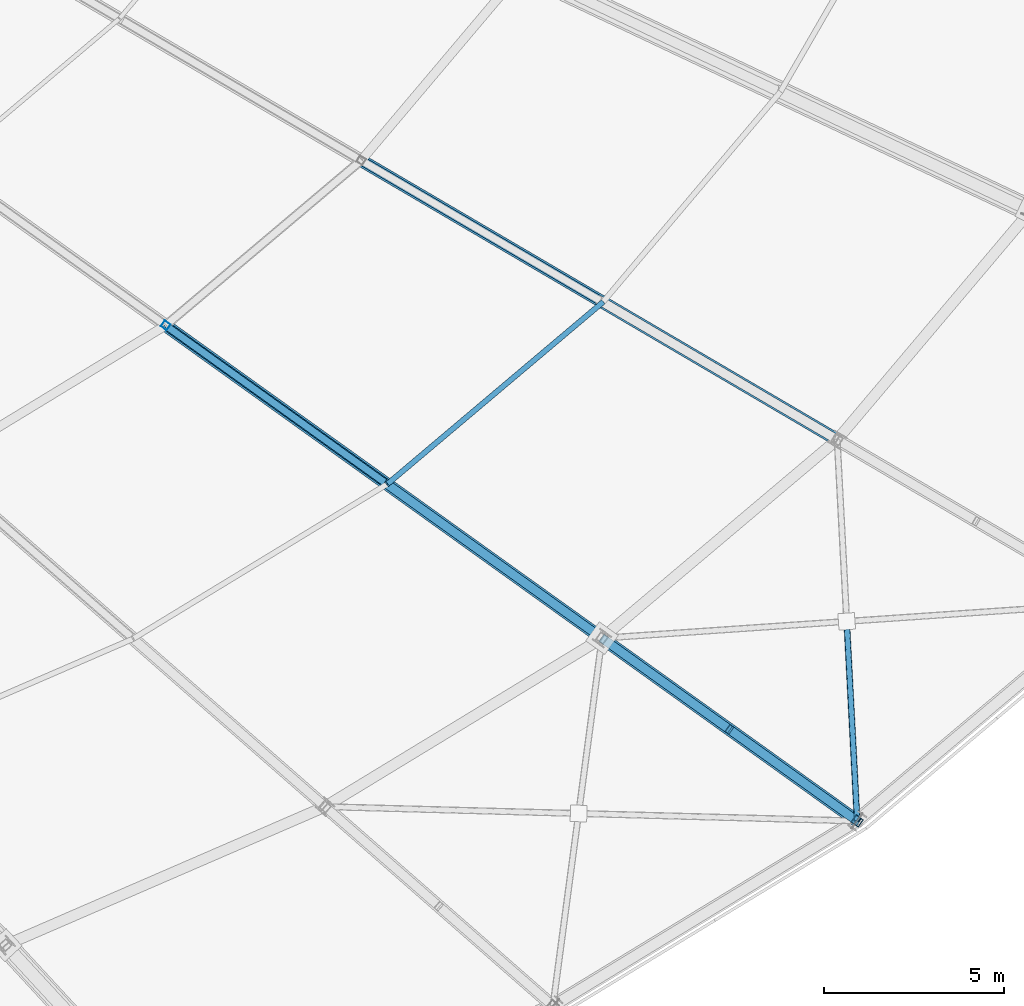
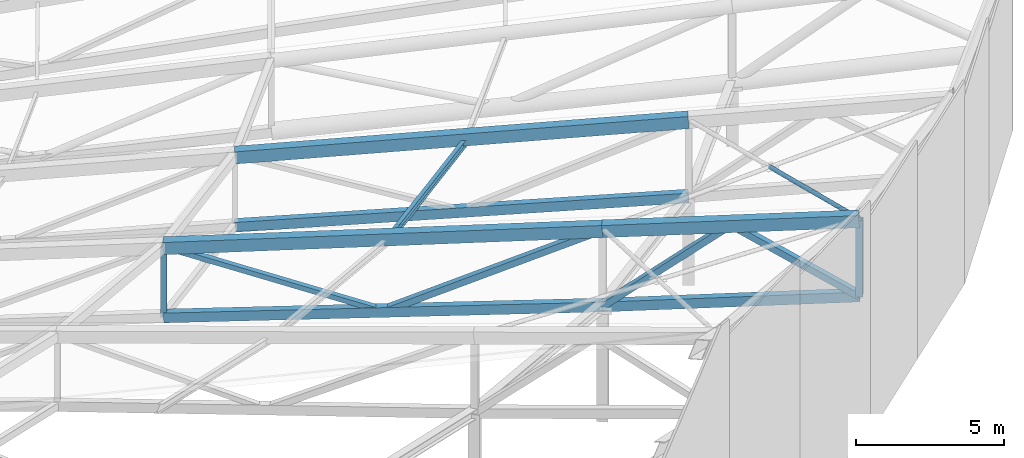
# One storey, part 62 of 143: 8 members, 6 beams.
"""IFC4 building model written with IfcOpenShell, lengths in metres."""

from ifc_helpers import new_model, si_unit, direction, frame, origin, origin_2d, place, context, subcontext, project, spatial, hollow_rectangle, hollow_circle, i_section, extrude, material, material_profile, profile_set, type_object, element, save


model = new_model("IFC4")

# Units and contexts
model_context = context("Model", 3, precision=1e-05, world=origin(), true_north=direction((0.0, 1.0)))
body_context = subcontext(model_context, "Body", "Model", "MODEL_VIEW")
ifc_project = project(units=[si_unit("LENGTHUNIT", "METRE"), si_unit("AREAUNIT", "SQUARE_METRE"), si_unit("VOLUMEUNIT", "CUBIC_METRE"), si_unit("PLANEANGLEUNIT", "RADIAN"), si_unit("MASSUNIT", "GRAM", prefix="KILO")], contexts=[model_context])

# Site, building, storey
site_placement = place(None, origin())
site = spatial("IfcSite", under=ifc_project, at=site_placement, CompositionType="ELEMENT")
building_placement = place(site_placement, origin())
building = spatial("IfcBuilding", under=site, at=building_placement, Name="Mphavela Belvedere Stadium", CompositionType="ELEMENT")
storey_placement = place(building_placement, frame((0.0, 0.0, 28.800048828125)))
storey = spatial("IfcBuildingStorey", under=building, at=storey_placement, Name="RF", CompositionType="ELEMENT", Elevation=28.800048828125)

# Beams
ifc_material_1 = material(Name="Steel S355", Category="steel")
ifc_material_profile_1 = material_profile(ifc_material_1, hollow_rectangle(XDim=0.25, YDim=0.39990234375, WallThickness=0.01611328125, at=origin_2d()), Name="RHS 400x250x16")
ifc_profile_set_1 = profile_set([ifc_material_profile_1], Name="Steel S355")
beam_type_1 = type_object("IfcBeamType", Name="BM-TRUSS-BC2", PredefinedType="BEAM", material=ifc_profile_set_1)
beam_1_placement = place(storey_placement, frame((194.155517578125, 30.285400390625, 5.7109375), z_axis=(-0.807495008804, 0.57856858983, -0.114935623801), x_axis=(-0.582428376319, -0.812882024932, 0.0)))
element("IfcBeam", 1, at=beam_1_placement, inside=storey, type_object=beam_type_1, Name="Radial roof truss RT-43 bottom chord 1", PredefinedType="BEAM", context=body_context, shape_type="SweptSolid", body=[
    extrude(hollow_rectangle(XDim=0.25, YDim=0.39990234375, WallThickness=0.01611328125, at=origin_2d()), origin(), (0.0, 0.0, 1.0), 8.785400390625),
])
beam_2_placement = place(storey_placement, frame((187.061279296875, 35.368408203125, 4.701171875), z_axis=(-0.808932564124, 0.579596935267, -0.098465726675), x_axis=(-0.582427273986, -0.812882814751, 0.0)))
element("IfcBeam", 2, at=beam_2_placement, inside=storey, type_object=beam_type_1, Name="Radial roof truss RT-43 bottom chord 2", PredefinedType="BEAM", context=body_context, shape_type="SweptSolid", body=[
    extrude(hollow_rectangle(XDim=0.25, YDim=0.39990234375, WallThickness=0.01611328125, at=origin_2d()), origin(), (0.0, 0.0, 1.0), 15.000732421875),
])
beam_3_placement = place(storey_placement, frame((193.600341796875, 40.88623046875, 3.5703125), z_axis=(-0.85949913121, 0.504262531198, -0.0835496444), x_axis=(-0.506031812676, -0.86251481411, 0.0)))
element("IfcBeam", 3, at=beam_3_placement, inside=storey, type_object=beam_type_1, Name="Radial roof truss RT-44 bottom chord 2", PredefinedType="BEAM", context=body_context, shape_type="SweptSolid", body=[
    extrude(hollow_rectangle(XDim=0.25, YDim=0.39990234375, WallThickness=0.01611328125, at=origin_2d()), origin(), (0.0, 0.0, 1.0), 15.3994140625),
])
ifc_material_2 = material(Name="Steel S355", Category="steel")
ifc_material_profile_2 = material_profile(ifc_material_2, hollow_rectangle(XDim=0.35009765625, YDim=0.5, WallThickness=0.02001953125, at=origin_2d()), Name="RHS 500x350x20")
ifc_profile_set_2 = profile_set([ifc_material_profile_2], Name="Steel S355")
beam_type_2 = type_object("IfcBeamType", Name="BM-TRUSS-TC2", PredefinedType="BEAM", material=ifc_profile_set_2)
beam_4_placement = place(storey_placement, frame((194.155517578125, 30.285400390625, 8.86083984375), z_axis=(-0.807497587607, 0.578570437538, -0.114908201692), x_axis=(-0.582428376319, -0.812882024932, 0.0)))
element("IfcBeam", 4, at=beam_4_placement, inside=storey, type_object=beam_type_2, Name="Radial roof truss RT-43 top chord 1", PredefinedType="BEAM", context=body_context, shape_type="SweptSolid", body=[
    extrude(hollow_rectangle(XDim=0.35009765625, YDim=0.5, WallThickness=0.02001953125, at=origin_2d()), origin(), (0.0, 0.0, 1.0), 8.785400390625),
])
beam_5_placement = place(storey_placement, frame((187.061279296875, 35.368408203125, 7.851318359375), z_axis=(-0.807496577749, 0.578568056793, -0.114927283886), x_axis=(-0.582427273986, -0.812882814751, 0.0)))
element("IfcBeam", 5, at=beam_5_placement, inside=storey, type_object=beam_type_2, Name="Radial roof truss RT-43 top chord 2", PredefinedType="BEAM", context=body_context, shape_type="SweptSolid", body=[
    extrude(hollow_rectangle(XDim=0.35009765625, YDim=0.5, WallThickness=0.02001953125, at=origin_2d()), origin(), (0.0, 0.0, 1.0), 15.02734375),
])
beam_6_placement = place(storey_placement, frame((193.600341796875, 40.88623046875, 6.72021484375), z_axis=(-0.858222917676, 0.503513785047, -0.099635795991), x_axis=(-0.506031812676, -0.86251481411, 0.0)))
element("IfcBeam", 6, at=beam_6_placement, inside=storey, type_object=beam_type_2, Name="Radial roof truss RT-44 top chord 2", PredefinedType="BEAM", context=body_context, shape_type="SweptSolid", body=[
    extrude(hollow_rectangle(XDim=0.35009765625, YDim=0.5, WallThickness=0.02001953125, at=origin_2d()), origin(), (0.0, 0.0, 1.0), 15.42236328125),
])

# Members
ifc_material_3 = material(Name="Steel S355", Category="steel")
ifc_material_profile_3 = material_profile(ifc_material_3, hollow_rectangle(XDim=0.199951171875, YDim=0.199951171875, WallThickness=0.010009765625, at=origin_2d()), Name="SHS 200x200x10")
ifc_profile_set_3 = profile_set([ifc_material_profile_3], Name="Steel S355")
member_type_1 = type_object("IfcMemberType", Name="MEM-POST-SHS200", PredefinedType="POST", material=ifc_profile_set_3)
member_1_placement = place(storey_placement, frame((174.9267578125, 44.062744140625, 3.22412109375), z_axis=(0.0, 0.0, 1.0), x_axis=(0.812897512265, -0.582406760395, 0.0)))
element("IfcMember", 7, at=member_1_placement, inside=storey, type_object=member_type_1, Name="Radial roof truss RT-43 post P3", PredefinedType="POST", context=body_context, shape_type="SweptSolid", body=[
    extrude(hollow_rectangle(XDim=0.199951171875, YDim=0.199951171875, WallThickness=0.010009765625, at=origin_2d()), origin(), (0.0, 0.0, 1.0), 2.900146484375),
])
member_2_placement = place(storey_placement, frame((180.994140625, 39.715576171875, 3.962646484375), z_axis=(-0.78080370017, 0.559431461662, 0.278176241804), x_axis=(-0.58241953096, -0.812888362542, 0.0)))
element("IfcMember", 8, at=member_2_placement, inside=storey, type_object=member_type_1, Name="Radial roof truss RT-43 web diagonal D4", PredefinedType="POST", context=body_context, shape_type="SweptSolid", body=[
    extrude(hollow_rectangle(XDim=0.199951171875, YDim=0.199951171875, WallThickness=0.010009765625, at=origin_2d()), origin(), (0.0, 0.0, 1.0), 7.770751953125),
])
ifc_material_4 = material(Name="Steel S355", Category="steel")
ifc_material_profile_4 = material_profile(ifc_material_4, hollow_rectangle(XDim=0.25, YDim=0.25, WallThickness=0.012451171875, at=origin_2d()), Name="SHS 250x250x12.5")
ifc_profile_set_4 = profile_set([ifc_material_profile_4], Name="Steel S355")
member_type_2 = type_object("IfcMemberType", Name="MEM-POST-SHS250", PredefinedType="POST", material=ifc_profile_set_4)
member_3_placement = place(storey_placement, frame((194.155517578125, 30.285400390625, 5.7109375), z_axis=(0.0, 0.0, 1.0), x_axis=(0.812897512265, -0.582406760395, 0.0)))
element("IfcMember", 9, at=member_3_placement, inside=storey, type_object=member_type_2, Name="Radial roof truss RT-43 post P1", PredefinedType="POST", context=body_context, shape_type="SweptSolid", body=[
    extrude(hollow_rectangle(XDim=0.25, YDim=0.25, WallThickness=0.012451171875, at=origin_2d()), origin(), (0.0, 0.0, 1.0), 3.14990234375),
])
member_4_placement = place(storey_placement, frame((194.155517578125, 30.285400390625, 5.7109375), z_axis=(-0.695147176222, 0.498071588167, 0.518358077444), x_axis=(-0.582428376319, -0.812882024932, 0.0)))
element("IfcMember", 10, at=member_4_placement, inside=storey, type_object=member_type_2, Name="Radial roof truss RT-43 web diagonal D1", PredefinedType="POST", context=body_context, shape_type="SweptSolid", body=[
    extrude(hollow_rectangle(XDim=0.25, YDim=0.25, WallThickness=0.012451171875, at=origin_2d()), origin(), (0.0, 0.0, 1.0), 5.102783203125),
])
member_5_placement = place(storey_placement, frame((190.6083984375, 32.826904296875, 8.35595703125), z_axis=(-0.623177325209, 0.446505331091, -0.642092680734), x_axis=(-0.582428376319, -0.812882024932, 0.0)))
element("IfcMember", 11, at=member_5_placement, inside=storey, type_object=member_type_2, Name="Radial roof truss RT-43 web diagonal D2", PredefinedType="POST", context=body_context, shape_type="SweptSolid", body=[
    extrude(hollow_rectangle(XDim=0.25, YDim=0.25, WallThickness=0.012451171875, at=origin_2d()), origin(), (0.0, 0.0, 1.0), 5.69189453125),
])
member_6_placement = place(storey_placement, frame((187.061279296875, 35.368408203125, 7.851318359375), z_axis=(-0.720901423513, 0.516533368761, -0.462054560127), x_axis=(-0.582435017164, -0.812877266739, 0.0)))
element("IfcMember", 12, at=member_6_placement, inside=storey, type_object=member_type_2, Name="Radial roof truss RT-43 web diagonal D3", PredefinedType="POST", context=body_context, shape_type="SweptSolid", body=[
    extrude(hollow_rectangle(XDim=0.25, YDim=0.25, WallThickness=0.012451171875, at=origin_2d()), origin(), (0.0, 0.0, 1.0), 8.416015625),
])
ifc_material_5 = material(Name="Steel S355", Category="steel")
ifc_material_profile_5 = material_profile(ifc_material_5, i_section(OverallWidth=0.14990234375, OverallDepth=0.300048828125, WebThickness=0.007080078125, FlangeThickness=0.0107421875, at=origin_2d()), Name="IPE 300")
ifc_profile_set_5 = profile_set([ifc_material_profile_5], Name="Steel S355")
member_type_3 = type_object("IfcMemberType", Name="MEM-PURLIN-IPE300", PredefinedType="PURLIN", material=ifc_profile_set_5)
member_7_placement = place(storey_placement, frame((181.08740234375, 39.648681640625, 6.81103515625), z_axis=(0.757668666465, 0.639343665261, -0.131064371771), x_axis=(-0.64490672087, 0.764261291298, 0.0)))
element("IfcMember", 13, at=member_7_placement, inside=storey, type_object=member_type_3, Name="Saddle canopy steel purlin 43-2", PredefinedType="PURLIN", context=body_context, shape_type="SweptSolid", body=[
    extrude(i_section(OverallWidth=0.14990234375, OverallDepth=0.300048828125, WebThickness=0.007080078125, FlangeThickness=0.0107421875, at=origin_2d()), origin(), (0.0, 0.0, 1.0), 7.914794921875),
])
ifc_material_6 = material(Name="Steel S355", Category="steel")
ifc_material_profile_6 = material_profile(ifc_material_6, hollow_circle(Radius=0.084228515625, WallThickness=0.010009765625, at=origin_2d()), Name="CHS 168.3x10")
ifc_profile_set_6 = profile_set([ifc_material_profile_6], Name="Steel S355")
member_type_4 = type_object("IfcMemberType", Name="MEM-ROOF-XBRACE", PredefinedType="BRACE", material=ifc_profile_set_6)
member_8_placement = place(storey_placement, frame((194.155517578125, 30.285400390625, 8.86083984375), z_axis=(-0.051253008111, 0.978932454916, -0.197647104387), x_axis=(-0.998632234834, -0.052284410201, 0.0)))
element("IfcMember", 14, at=member_8_placement, inside=storey, type_object=member_type_4, Name="Roof diaphragm split X-brace B1 43", PredefinedType="BRACE", context=body_context, shape_type="SweptSolid", body=[
    extrude(hollow_circle(Radius=0.084228515625, WallThickness=0.010009765625, at=origin_2d()), origin(), (0.0, 0.0, 1.0), 5.66845703125),
])

save(model, "model.ifc")
